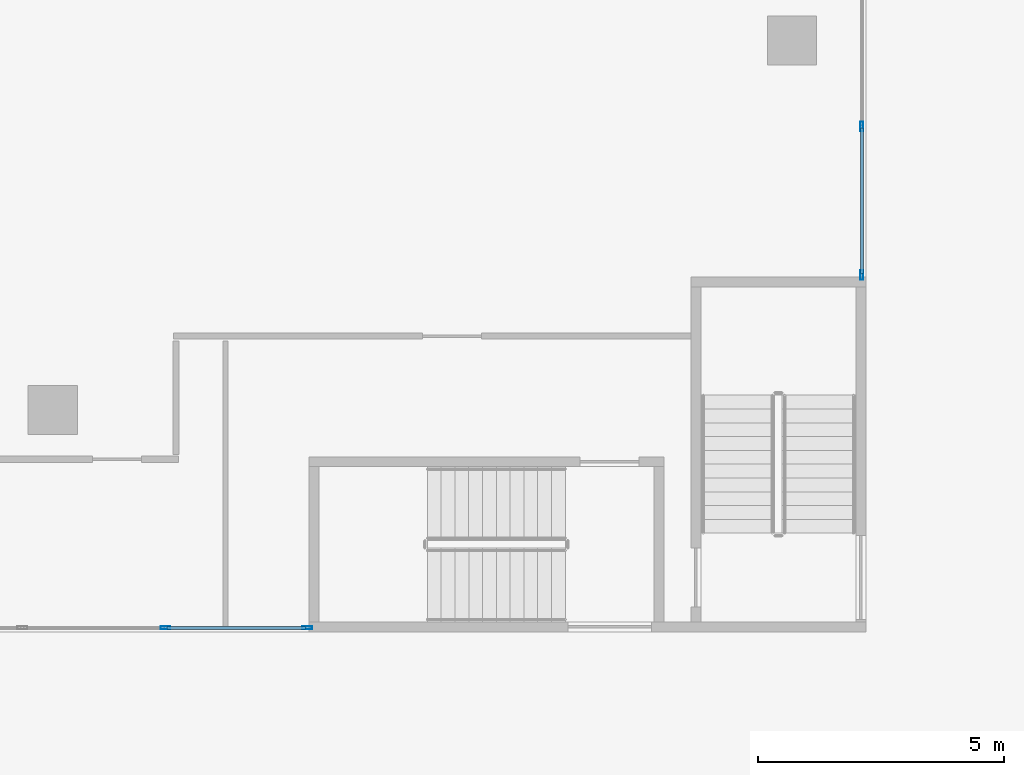
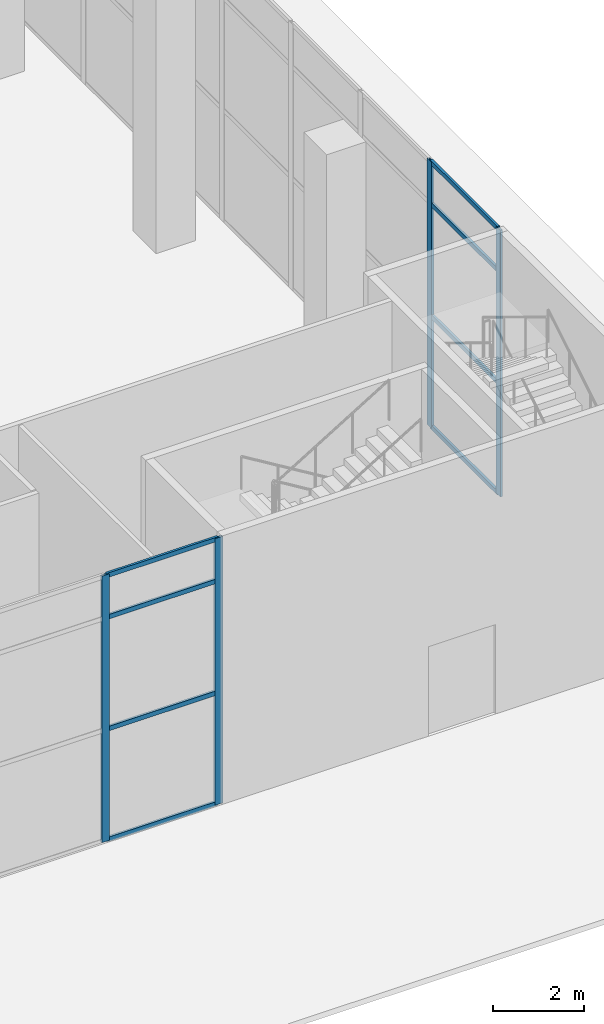
# One storey, part 23 of 52: 12 members, 2 elements without a shape of their own.
"""IFC4 building model written with IfcOpenShell, lengths in metres."""

import ifcopenshell
import ifcopenshell.guid

model = None  # the IFC model being written
_history = None  # IfcOwnerHistory: only IFC2X3 demands one
_inside = {}  # id of a spatial element -> (the spatial element, [elements in it])
_under = {}  # id of a project, library or spatial element -> (it, [spatial elements below it])
_declared = {}  # id of a project -> (the project, [libraries it declares])
_typed = {}  # id of a type object -> (the type object, [elements of that type])
_made_of = {}  # id of a material, layer set ... -> (it, [elements and type objects made of it])


def new_model(schema):
    """Start an empty IFC model of exactly this schema.

    Asked for "IFC4X3", IfcOpenShell would pick the latest addendum, in which some entities
    have other attributes; the version numbers below select the first issue.
    IFC2X3 requires an IfcOwnerHistory on every rooted entity: one is made here for all.
    """
    global model, _history
    if schema == "IFC4X3":
        model = ifcopenshell.file(schema_version=(4, 3, 0, 0))
    else:
        model = ifcopenshell.file(schema=schema)
    _inside.clear()
    _under.clear()
    _declared.clear()
    _typed.clear()
    _made_of.clear()
    _history = None
    if model.schema == "IFC2X3":
        org = make("IfcOrganization", Name="unknown")
        user = make(
            "IfcPersonAndOrganization",
            ThePerson=make("IfcPerson", FamilyName="unknown"),
            TheOrganization=org,
        )
        app = make(
            "IfcApplication",
            ApplicationDeveloper=org,
            Version="unknown",
            ApplicationFullName="unknown",
            ApplicationIdentifier="unknown",
        )
        _history = make(
            "IfcOwnerHistory",
            OwningUser=user,
            OwningApplication=app,
            ChangeAction="ADDED",
            CreationDate=0,
        )
    return model


def make(cls, **values):
    """One entity of the class cls with the attributes given. An attribute that is None is left unset."""
    return model.create_entity(
        cls, **{name: value for name, value in values.items() if value is not None}
    )


def rooted(cls, **values):
    """An entity with a GlobalId (a new one), such as an element, a storey or a relation."""
    return make(cls, GlobalId=ifcopenshell.guid.new(), OwnerHistory=_history, **values)


def si_unit(unit_type, name, prefix=None):
    """IfcSIUnit, for example si_unit("LENGTHUNIT", "METRE", prefix="MILLI")."""
    return make("IfcSIUnit", UnitType=unit_type, Prefix=prefix, Name=name)


def assignment(units):
    """IfcUnitAssignment: the units of a project."""
    return None if units is None else make("IfcUnitAssignment", Units=units)


def point(xyz):
    """IfcCartesianPoint."""
    return None if xyz is None else make("IfcCartesianPoint", Coordinates=xyz)


def direction(xyz):
    """IfcDirection."""
    return None if xyz is None else make("IfcDirection", DirectionRatios=xyz)


def frame(location, z_axis=None, x_axis=None):
    """IfcAxis2Placement3D, a coordinate frame: its origin and axes. An axis left out is left unset."""
    return make(
        "IfcAxis2Placement3D",
        Location=point(location),
        Axis=direction(z_axis),
        RefDirection=direction(x_axis),
    )


def frame_2d(location, x_axis=None):
    """IfcAxis2Placement2D, a coordinate frame in the plane: its origin and x axis."""
    return make(
        "IfcAxis2Placement2D", Location=point(location), RefDirection=direction(x_axis)
    )


def origin():
    """The frame at (0, 0, 0) with its axes left unset."""
    return frame((0.0, 0.0, 0.0))


def origin_2d():
    """The frame at (0, 0) in the plane with its x axis left unset."""
    return frame_2d((0.0, 0.0))


def place(relative_to, where):
    """IfcLocalPlacement: puts the frame where relative to a parent placement (None: the world)."""
    return make(
        "IfcLocalPlacement", PlacementRelTo=relative_to, RelativePlacement=where
    )


def context(
    kind, dimensions, precision=None, world=None, true_north=None, identifier=None
):
    """IfcGeometricRepresentationContext, for example the 3D "Model" context."""
    return make(
        "IfcGeometricRepresentationContext",
        ContextIdentifier=identifier,
        ContextType=kind,
        CoordinateSpaceDimension=dimensions,
        Precision=precision,
        WorldCoordinateSystem=world,
        TrueNorth=true_north,
    )


def subcontext(parent, identifier, kind, view, scale=None):
    """IfcGeometricRepresentationSubContext, for example "Body" below "Model"."""
    return make(
        "IfcGeometricRepresentationSubContext",
        ContextIdentifier=identifier,
        ContextType=kind,
        ParentContext=parent,
        TargetScale=scale,
        TargetView=view,
    )


def project(units=None, contexts=None):
    """IfcProject with its units and contexts."""
    return rooted(
        "IfcProject",
        Name="project",
        RepresentationContexts=contexts,
        UnitsInContext=assignment(units),
    )


def spatial(cls, under=None, at=None, **own):
    """A site, building, storey or space (cls), placed at a placement, below another one or the project."""
    s = rooted(cls, ObjectPlacement=at, **own)
    if under is not None:
        _under.setdefault(under.id(), (under, []))[1].append(s)
    return s


def profile(cls, at=None, kind="AREA", **sizes):
    """A parametric profile (cls). Its sizes go by their IFC names, for example OverallWidth=200.0."""
    return make(cls, ProfileType=kind, Position=at, **sizes)


def hollow_rectangle(**sizes):
    """IfcRectangleHollowProfileDef."""
    return profile("IfcRectangleHollowProfileDef", **sizes)


def extrude(swept, where, along, depth):
    """IfcExtrudedAreaSolid: the profile swept, set in the frame where, extruded along a direction by depth."""
    return make(
        "IfcExtrudedAreaSolid",
        SweptArea=swept,
        Position=where,
        ExtrudedDirection=direction(along),
        Depth=depth,
    )


def shape(context_of_items, identifier, shape_type, items):
    """IfcShapeRepresentation: the items that make up one representation, for example the "Body"."""
    return make(
        "IfcShapeRepresentation",
        ContextOfItems=context_of_items,
        RepresentationIdentifier=identifier,
        RepresentationType=shape_type,
        Items=items,
    )


def source(mapping_origin, context_of_items, identifier, shape_type, items):
    """IfcRepresentationMap: a shape defined once, which mapped items show again and again."""
    return make(
        "IfcRepresentationMap",
        MappingOrigin=mapping_origin,
        MappedRepresentation=shape(context_of_items, identifier, shape_type, items),
    )


def transform(
    local_origin,
    x_axis=None,
    y_axis=None,
    z_axis=None,
    scale=None,
    scale2=None,
    scale3=None,
    uniform=True,
):
    """IfcCartesianTransformationOperator3D, or its non-uniform kind. x_axis, y_axis, z_axis: its Axis1, 2, 3."""
    if uniform:
        return make(
            "IfcCartesianTransformationOperator3D",
            Axis1=direction(x_axis),
            Axis2=direction(y_axis),
            LocalOrigin=point(local_origin),
            Scale=scale,
            Axis3=direction(z_axis),
        )
    return make(
        "IfcCartesianTransformationOperator3DnonUniform",
        Axis1=direction(x_axis),
        Axis2=direction(y_axis),
        LocalOrigin=point(local_origin),
        Scale=scale,
        Axis3=direction(z_axis),
        Scale2=scale2,
        Scale3=scale3,
    )


def mapped(mapping_source, mapping_target):
    """IfcMappedItem: shows the shape of a source again, moved by a transform."""
    return make(
        "IfcMappedItem", MappingSource=mapping_source, MappingTarget=mapping_target
    )


def material(Name=None, Category=None):
    """IfcMaterial."""
    return make("IfcMaterial", Name=Name, Category=Category)


def material_profile(
    of_material, cross_section, Name=None, Category=None, Priority=None
):
    """IfcMaterialProfile: a cross section and its material."""
    return make(
        "IfcMaterialProfile",
        Name=Name,
        Material=of_material,
        Profile=cross_section,
        Priority=Priority,
        Category=Category,
    )


def profile_set(profiles, Name=None, composite=None):
    """IfcMaterialProfileSet."""
    return make(
        "IfcMaterialProfileSet",
        Name=Name,
        MaterialProfiles=profiles,
        CompositeProfile=composite,
    )


def made_of(thing, what):
    """Note that an element or type object is made of a material, layer set ...; save() writes the relation."""
    if what is not None:
        _made_of.setdefault(what.id(), (what, []))[1].append(thing)
    return thing


def type_object(cls, material=None, **own):
    """A type object (cls), such as IfcWallType, which elements share."""
    return made_of(rooted(cls, **own), material)


def element(
    cls,
    number,
    at=None,
    inside=None,
    cuts=None,
    type_object=None,
    material=None,
    context=None,
    identifier="Body",
    shape_type=None,
    held_by="IfcProductDefinitionShape",
    body=None,
    shapes=None,
    **own,
):
    """One element of the class cls, such as IfcWall. Its Tag is "e" and its number.

    at: its placement. inside: the storey or other place that contains it. cuts: it is an
    opening in that element (IfcRelVoidsElement). A single representation is given by context,
    identifier, shape_type and body (its items); several are given by shapes. held_by: the class
    of the entity that holds the representations. save() writes the other relations.
    """
    e = rooted(cls, Tag="e%d" % number, ObjectPlacement=at, **own)
    if body is not None:
        shapes = [shape(context, identifier, shape_type, body)]
    if shapes is not None:
        e.Representation = make(held_by, Representations=shapes)
    if inside is not None:
        _inside.setdefault(inside.id(), (inside, []))[1].append(e)
    if cuts is not None:
        rooted(
            "IfcRelVoidsElement", RelatingBuildingElement=cuts, RelatedOpeningElement=e
        )
    if type_object is not None:
        _typed.setdefault(type_object.id(), (type_object, []))[1].append(e)
    return made_of(e, material)


def aggregate(whole, parts):
    """IfcRelAggregates: a whole, such as a stair, and the parts it consists of."""
    return rooted("IfcRelAggregates", RelatingObject=whole, RelatedObjects=parts)


def save(model, path):
    """Write the relations noted so far, then the file.

    IfcRelAggregates (storeys below a building ...), IfcRelContainedInSpatialStructure (elements
    in a storey), IfcRelDefinesByType, IfcRelAssociatesMaterial and IfcRelDeclares: one each for
    every whole, place, type object, material and project.
    """
    for whole, parts in _under.values():
        aggregate(whole, parts)
    for where, things in _inside.values():
        rooted(
            "IfcRelContainedInSpatialStructure",
            RelatedElements=things,
            RelatingStructure=where,
        )
    for kind, things in _typed.values():
        rooted("IfcRelDefinesByType", RelatedObjects=things, RelatingType=kind)
    for what, things in _made_of.values():
        rooted("IfcRelAssociatesMaterial", RelatedObjects=things, RelatingMaterial=what)
    for by, libraries in _declared.values():
        rooted("IfcRelDeclares", RelatingContext=by, RelatedDefinitions=libraries)
    model.write(path)


model = new_model("IFC4")

# Units and contexts
model_context = context("Model", 3, precision=1e-05, world=origin(), true_north=direction((0.0, 1.0)))
body_context = subcontext(model_context, "Body", "Model", "MODEL_VIEW")
ifc_project = project(units=[si_unit("LENGTHUNIT", "METRE"), si_unit("AREAUNIT", "SQUARE_METRE"), si_unit("VOLUMEUNIT", "CUBIC_METRE"), si_unit("PLANEANGLEUNIT", "RADIAN"), si_unit("MASSUNIT", "GRAM", prefix="KILO")], contexts=[model_context])

# Site, building, storey
site_placement = place(None, origin())
site = spatial("IfcSite", under=ifc_project, at=site_placement, CompositionType="ELEMENT")
building_placement = place(site_placement, origin())
building = spatial("IfcBuilding", under=site, at=building_placement, Name="Khomas Fold Tower", CompositionType="ELEMENT")
storey_placement = place(building_placement, origin())
storey = spatial("IfcBuildingStorey", under=building, at=storey_placement, Name="L00", CompositionType="ELEMENT", Elevation=0.0)

# Curtain wall, members
ifc_material_1 = material(Name="Aluminium framed double glazing", Category="aluminium")
curtain_wall_type = type_object("IfcCurtainWallType", Name="Shopfront glazing PD-CW", PredefinedType="NOTDEFINED", material=ifc_material_1)
curtain_wall_1_placement = place(storey_placement, origin())
curtain_wall_1 = element("IfcCurtainWall", 1, at=curtain_wall_1_placement, inside=storey, type_object=curtain_wall_type, Name="Podium shopfront run", PredefinedType="NOTDEFINED")
ifc_material_2 = material(Name="Aluminium", Category="aluminium")
ifc_material_profile_1 = material_profile(ifc_material_2, hollow_rectangle(XDim=0.06005859375, YDim=0.199951171875, WallThickness=0.00390625, at=origin_2d()), Name="Shopfront glazing mullion PD-CW-M")
ifc_profile_set_1 = profile_set([ifc_material_profile_1], Name="Aluminium")
member_type_1 = type_object("IfcMemberType", Name="Shopfront glazing mullion PD-CW-M", PredefinedType="MULLION", material=ifc_profile_set_1)
shared_shape_1 = source(origin(), body_context, "Body", "SweptSolid", [
    extrude(hollow_rectangle(XDim=0.06005859375, YDim=0.199951171875, WallThickness=0.00390625, at=origin_2d()), origin(), (0.0, 0.0, 1.0), 7.14990234375),
])
member_1_placement = place(storey_placement, frame((66.78564453125, 0.080078125, 0.0), z_axis=(0.0, 0.0, 1.0), x_axis=(0.0, 1.0, 0.0)))
member_1 = element("IfcMember", 2, at=member_1_placement, type_object=member_type_1, Name="PD-CW mullion 9", PredefinedType="MULLION", context=body_context, shape_type="MappedRepresentation", body=[
    mapped(shared_shape_1, transform((0.0, 0.0, 0.0))),
])
member_2_placement = place(storey_placement, frame((69.659912109375, 0.080078125, 0.0), z_axis=(0.0, 0.0, 1.0), x_axis=(0.0, 1.0, 0.0)))
member_2 = element("IfcMember", 3, at=member_2_placement, type_object=member_type_1, Name="PD-CW mullion 10", PredefinedType="MULLION", context=body_context, shape_type="MappedRepresentation", body=[
    mapped(shared_shape_1, transform((0.0, 0.0, 0.0))),
])

curtain_wall_2_placement = place(storey_placement, origin())
curtain_wall_2 = element("IfcCurtainWall", 4, at=curtain_wall_2_placement, inside=storey, type_object=curtain_wall_type, Name="Podium shopfront run", PredefinedType="NOTDEFINED")
member_3_placement = place(storey_placement, frame((80.919921875, 7.239990234375, 0.0), z_axis=(0.0, 0.0, 1.0), x_axis=(-1.0, 0.0, 0.0)))
member_3 = element("IfcMember", 5, at=member_3_placement, type_object=member_type_1, Name="PD-CW mullion 1", PredefinedType="MULLION", context=body_context, shape_type="MappedRepresentation", body=[
    mapped(shared_shape_1, transform((0.0, 0.0, 0.0))),
])
member_4_placement = place(storey_placement, frame((80.919921875, 10.254638671875, 0.0), z_axis=(0.0, 0.0, 1.0), x_axis=(-1.0, 0.0, 0.0)))
member_4 = element("IfcMember", 6, at=member_4_placement, type_object=member_type_1, Name="PD-CW mullion 2", PredefinedType="MULLION", context=body_context, shape_type="MappedRepresentation", body=[
    mapped(shared_shape_1, transform((0.0, 0.0, 0.0))),
])

# Member
ifc_material_3 = material(Name="Aluminium", Category="aluminium")
ifc_material_profile_2 = material_profile(ifc_material_3, hollow_rectangle(XDim=0.06005859375, YDim=0.1201171875, WallThickness=0.00390625, at=origin_2d()), Name="Shopfront glazing transom PD-CW-T")
ifc_profile_set_2 = profile_set([ifc_material_profile_2], Name="Aluminium")
member_type_2 = type_object("IfcMemberType", Name="Shopfront glazing transom PD-CW-T", PredefinedType="USERDEFINED", material=ifc_profile_set_2)
shared_shape_2 = source(origin(), body_context, "Body", "SweptSolid", [
    extrude(hollow_rectangle(XDim=0.06005859375, YDim=0.1201171875, WallThickness=0.00390625, at=origin_2d()), origin(), (0.0, 0.0, 1.0), 2.814208984375),
])
member_5_placement = place(storey_placement, frame((66.815673828125, 0.080078125, 0.030029296875), z_axis=(1.0, 0.0, 0.0), x_axis=(0.0, 1.0, 0.0)))
member_5 = element("IfcMember", 7, at=member_5_placement, type_object=member_type_2, Name="PD-CW transom 9.1", ObjectType="TRANSOM", PredefinedType="USERDEFINED", context=body_context, shape_type="MappedRepresentation", body=[
    mapped(shared_shape_2, transform((0.0, 0.0, 0.0))),
])

member_6_placement = place(storey_placement, frame((66.815673828125, 0.080078125, 3.0), z_axis=(1.0, 0.0, 0.0), x_axis=(0.0, 1.0, 0.0)))
member_6 = element("IfcMember", 8, at=member_6_placement, type_object=member_type_2, Name="PD-CW transom 9.2", ObjectType="TRANSOM", PredefinedType="USERDEFINED", context=body_context, shape_type="MappedRepresentation", body=[
    mapped(shared_shape_2, transform((0.0, 0.0, 0.0))),
])

member_7_placement = place(storey_placement, frame((66.815673828125, 0.080078125, 6.0), z_axis=(1.0, 0.0, 0.0), x_axis=(0.0, 1.0, 0.0)))
member_7 = element("IfcMember", 9, at=member_7_placement, type_object=member_type_2, Name="PD-CW transom 9.3", ObjectType="TRANSOM", PredefinedType="USERDEFINED", context=body_context, shape_type="MappedRepresentation", body=[
    mapped(shared_shape_2, transform((0.0, 0.0, 0.0))),
])

member_8_placement = place(storey_placement, frame((66.815673828125, 0.080078125, 7.1201171875), z_axis=(1.0, 0.0, 0.0), x_axis=(0.0, 1.0, 0.0)))
member_8 = element("IfcMember", 10, at=member_8_placement, type_object=member_type_2, Name="PD-CW transom 9.4", ObjectType="TRANSOM", PredefinedType="USERDEFINED", context=body_context, shape_type="MappedRepresentation", body=[
    mapped(shared_shape_2, transform((0.0, 0.0, 0.0))),
])

aggregate(curtain_wall_1, [member_1, member_2, member_5, member_6, member_7, member_8])

shared_shape_3 = source(origin(), body_context, "Body", "SweptSolid", [
    extrude(hollow_rectangle(XDim=0.06005859375, YDim=0.1201171875, WallThickness=0.00390625, at=origin_2d()), origin(), (0.0, 0.0, 1.0), 2.95458984375),
])
member_9_placement = place(storey_placement, frame((80.919921875, 7.27001953125, 0.030029296875), z_axis=(0.0, 1.0, 0.0), x_axis=(-1.0, 0.0, 0.0)))
member_9 = element("IfcMember", 11, at=member_9_placement, type_object=member_type_2, Name="PD-CW transom 1.1", ObjectType="TRANSOM", PredefinedType="USERDEFINED", context=body_context, shape_type="MappedRepresentation", body=[
    mapped(shared_shape_3, transform((0.0, 0.0, 0.0))),
])

member_10_placement = place(storey_placement, frame((80.919921875, 7.27001953125, 3.0), z_axis=(0.0, 1.0, 0.0), x_axis=(-1.0, 0.0, 0.0)))
member_10 = element("IfcMember", 12, at=member_10_placement, type_object=member_type_2, Name="PD-CW transom 1.2", ObjectType="TRANSOM", PredefinedType="USERDEFINED", context=body_context, shape_type="MappedRepresentation", body=[
    mapped(shared_shape_3, transform((0.0, 0.0, 0.0))),
])

member_11_placement = place(storey_placement, frame((80.919921875, 7.27001953125, 6.0), z_axis=(0.0, 1.0, 0.0), x_axis=(-1.0, 0.0, 0.0)))
member_11 = element("IfcMember", 13, at=member_11_placement, type_object=member_type_2, Name="PD-CW transom 1.3", ObjectType="TRANSOM", PredefinedType="USERDEFINED", context=body_context, shape_type="MappedRepresentation", body=[
    mapped(shared_shape_3, transform((0.0, 0.0, 0.0))),
])

member_12_placement = place(storey_placement, frame((80.919921875, 7.27001953125, 7.1201171875), z_axis=(0.0, 1.0, 0.0), x_axis=(-1.0, 0.0, 0.0)))
member_12 = element("IfcMember", 14, at=member_12_placement, type_object=member_type_2, Name="PD-CW transom 1.4", ObjectType="TRANSOM", PredefinedType="USERDEFINED", context=body_context, shape_type="MappedRepresentation", body=[
    mapped(shared_shape_3, transform((0.0, 0.0, 0.0))),
])

aggregate(curtain_wall_2, [member_3, member_4, member_9, member_10, member_11, member_12])

save(model, "model.ifc")
